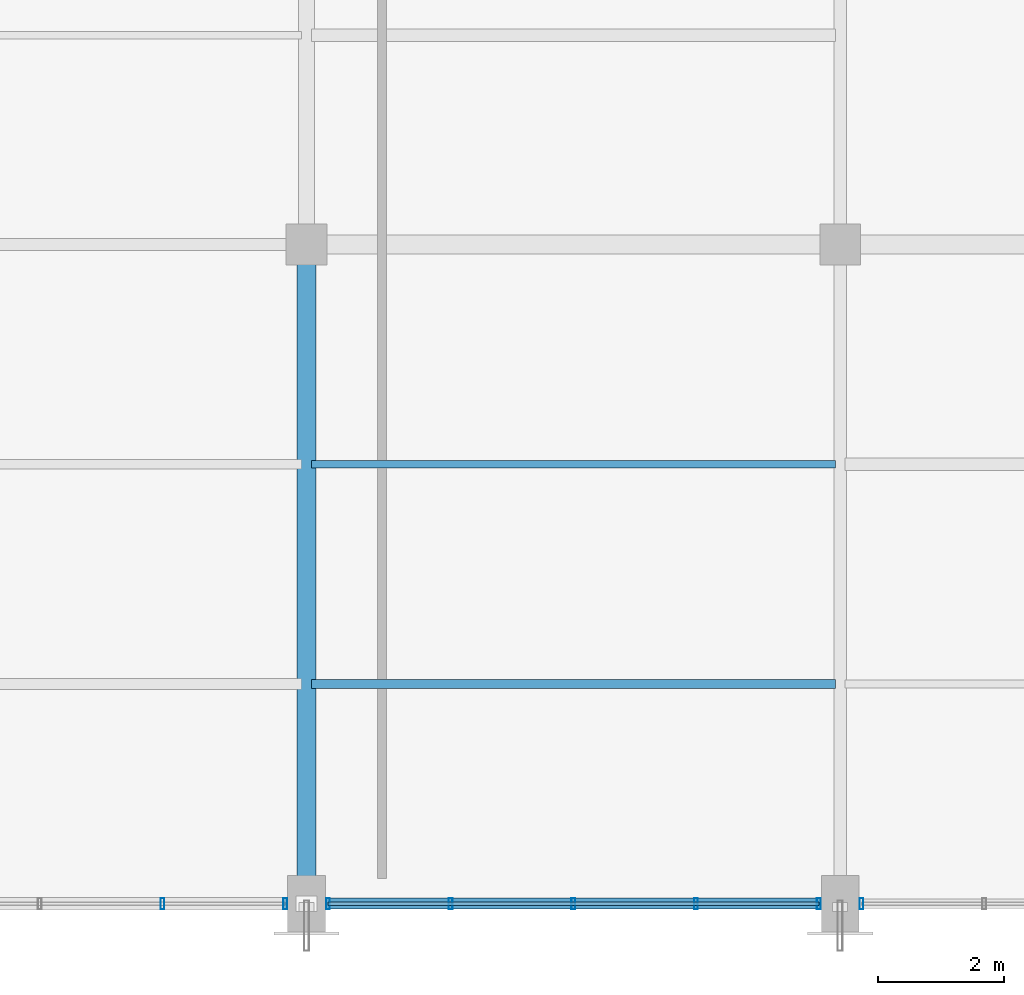
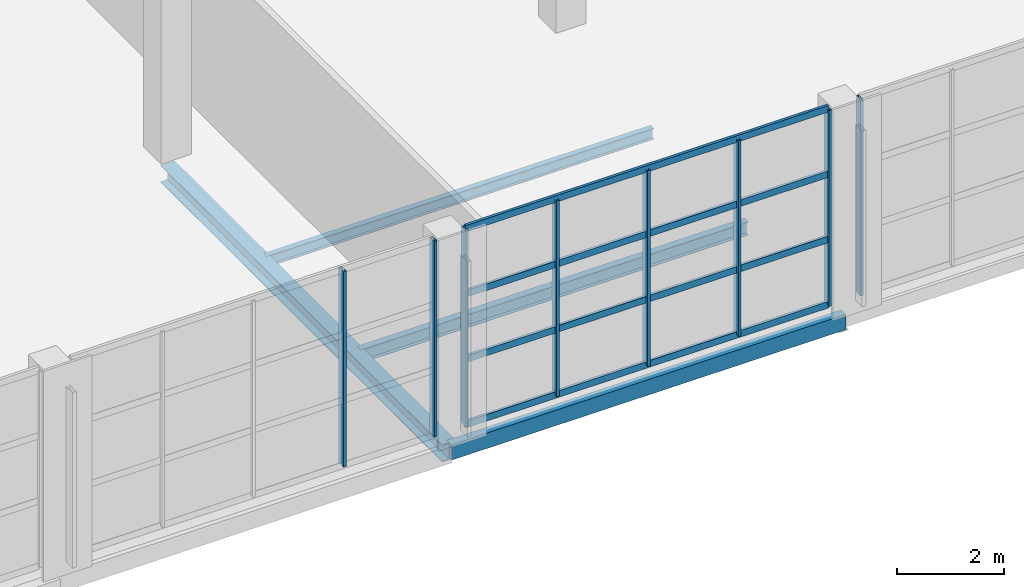
# One storey, part 6 of 66: 12 members, 4 beams, 3 elements without a shape of their own.
"""IFC4 building model written with IfcOpenShell, lengths in metres."""

from ifc_helpers import new_model, si_unit, direction, frame, origin, origin_2d, place, context, subcontext, project, spatial, hollow_rectangle, i_section, extrude, material, material_profile, profile_set, type_object, element, aggregate, save


model = new_model("IFC4")

# Units and contexts
model_context = context("Model", 3, precision=1e-05, world=origin(), true_north=direction((0.0, 1.0)))
body_context = subcontext(model_context, "Body", "Model", "MODEL_VIEW")
ifc_project = project(units=[si_unit("LENGTHUNIT", "METRE"), si_unit("AREAUNIT", "SQUARE_METRE"), si_unit("VOLUMEUNIT", "CUBIC_METRE"), si_unit("PLANEANGLEUNIT", "RADIAN"), si_unit("MASSUNIT", "GRAM", prefix="KILO")], contexts=[model_context])

# Site, building, storey
site_placement = place(None, origin())
site = spatial("IfcSite", under=ifc_project, at=site_placement, CompositionType="ELEMENT")
building_placement = place(site_placement, origin())
building = spatial("IfcBuilding", under=site, at=building_placement, Name="Solvikara Media Centre", CompositionType="ELEMENT")
storey_placement = place(building_placement, frame((0.0, 0.0, 19.800048828125)))
storey = spatial("IfcBuildingStorey", under=building, at=storey_placement, Name="L04", CompositionType="ELEMENT", Elevation=19.800048828125)

# Beams
ifc_material_1 = material(Name="Steel S355JR", Category="steel")
ifc_material_profile_1 = material_profile(ifc_material_1, i_section(OverallWidth=0.14990234375, OverallDepth=0.300048828125, WebThickness=0.006591796875, FlangeThickness=0.009033203125, at=origin_2d()), Name="WF 300x150x6.5x9")
ifc_profile_set_1 = profile_set([ifc_material_profile_1], Name="Steel S355JR")
beam_type_1 = type_object("IfcBeamType", Name="BM-23", PredefinedType="JOIST", material=ifc_profile_set_1)
beam_1_placement = place(storey_placement, frame((51.077880859375, 3.5, -0.43212890625), z_axis=(1.0, 0.0, 0.0), x_axis=(0.0, 1.0, 0.0)))
element("IfcBeam", 1, at=beam_1_placement, inside=storey, type_object=beam_type_1, Name="J-L04-1603", PredefinedType="JOIST", context=body_context, shape_type="SweptSolid", body=[
    extrude(i_section(OverallWidth=0.14990234375, OverallDepth=0.300048828125, WebThickness=0.006591796875, FlangeThickness=0.009033203125, at=origin_2d()), origin(), (0.0, 0.0, 1.0), 8.34423828125),
])
ifc_material_profile_2 = material_profile(ifc_material_1, i_section(OverallWidth=0.125, OverallDepth=0.25, WebThickness=0.006103515625, FlangeThickness=0.009033203125, at=origin_2d()), Name="WF 250x125x6x9")
ifc_profile_set_2 = profile_set([ifc_material_profile_2], Name="Steel S355JR")
beam_type_2 = type_object("IfcBeamType", Name="BM-24", PredefinedType="JOIST", material=ifc_profile_set_2)
beam_2_placement = place(storey_placement, frame((51.077880859375, 7.0, -0.406982421875), z_axis=(1.0, 0.0, 0.0), x_axis=(0.0, 1.0, 0.0)))
element("IfcBeam", 2, at=beam_2_placement, inside=storey, type_object=beam_type_2, Name="J-L04-1604", PredefinedType="JOIST", context=body_context, shape_type="SweptSolid", body=[
    extrude(i_section(OverallWidth=0.125, OverallDepth=0.25, WebThickness=0.006103515625, FlangeThickness=0.009033203125, at=origin_2d()), origin(), (0.0, 0.0, 1.0), 8.34423828125),
])
ifc_material_profile_3 = material_profile(ifc_material_1, i_section(OverallWidth=0.300048828125, OverallDepth=0.389892578125, WebThickness=0.010009765625, FlangeThickness=0.01611328125, at=origin_2d()), Name="H 390x300x10x16")
ifc_profile_set_3 = profile_set([ifc_material_profile_3], Name="Steel S355JR")
beam_type_3 = type_object("IfcBeamType", Name="BM-29", PredefinedType="BEAM", material=ifc_profile_set_3)
beam_3_placement = place(storey_placement, frame((51.0, 0.0, -0.47705078125), z_axis=(0.0, 1.0, 0.0), x_axis=(-1.0, 0.0, 0.0)))
element("IfcBeam", 3, at=beam_3_placement, inside=storey, type_object=beam_type_3, Name="B-L04-Y1521", PredefinedType="BEAM", context=body_context, shape_type="SweptSolid", body=[
    extrude(i_section(OverallWidth=0.300048828125, OverallDepth=0.389892578125, WebThickness=0.010009765625, FlangeThickness=0.01611328125, at=origin_2d()), origin(), (0.0, 0.0, 1.0), 10.5),
])
ifc_material_profile_4 = material_profile(ifc_material_1, hollow_rectangle(XDim=0.175048828125, YDim=0.35009765625, WallThickness=0.010009765625, at=origin_2d()), Name="RHS 350x175x10")
ifc_profile_set_4 = profile_set([ifc_material_profile_4], Name="Steel S355JR")
beam_type_4 = type_object("IfcBeamType", Name="BM-34", PredefinedType="SPANDREL", material=ifc_profile_set_4)
beam_4_placement = place(storey_placement, frame((51.0, 0.0, -0.45703125), z_axis=(1.0, 0.0, 0.0), x_axis=(0.0, 1.0, 0.0)))
element("IfcBeam", 4, at=beam_4_placement, inside=storey, type_object=beam_type_4, Name="B-L04-X1436", PredefinedType="SPANDREL", context=body_context, shape_type="SweptSolid", body=[
    extrude(hollow_rectangle(XDim=0.175048828125, YDim=0.35009765625, WallThickness=0.010009765625, at=origin_2d()), origin(), (0.0, 0.0, 1.0), 8.5),
])

# Curtain wall, members
ifc_material_2 = material(Name="Anodised aluminium EN AW-6063", Category="aluminium")
curtain_wall_type = type_object("IfcCurtainWallType", Name="CW-15", PredefinedType="NOTDEFINED", material=ifc_material_2)
curtain_wall_1_placement = place(storey_placement, origin())
curtain_wall_1 = element("IfcCurtainWall", 5, at=curtain_wall_1_placement, inside=storey, type_object=curtain_wall_type, Name="CW-L04-V6S-2", PredefinedType="NOTDEFINED")
ifc_material_profile_5 = material_profile(ifc_material_2, hollow_rectangle(XDim=0.06005859375, YDim=0.179931640625, WallThickness=0.00341796875, at=origin_2d()), Name="ALU-M 60x180x3.5")
ifc_profile_set_5 = profile_set([ifc_material_profile_5], Name="Anodised aluminium EN AW-6063")
member_type_1 = type_object("IfcMemberType", Name="MF-03", PredefinedType="MULLION", material=ifc_profile_set_5)
member_1_placement = place(storey_placement, frame((48.705078125, 0.0, 0.02001953125), z_axis=(0.0, 0.0, 1.0), x_axis=(1.0, 0.0, 0.0)))
member_1 = element("IfcMember", 6, at=member_1_placement, type_object=member_type_1, Name="CW-L04-V6S-2-M03", PredefinedType="MULLION", context=body_context, shape_type="SweptSolid", body=[
    extrude(hollow_rectangle(XDim=0.06005859375, YDim=0.179931640625, WallThickness=0.00341796875, at=origin_2d()), origin(), (0.0, 0.0, 1.0), 4.4599609375),
])
member_2_placement = place(storey_placement, frame((50.659912109375, 0.0, 0.02001953125), z_axis=(0.0, 0.0, 1.0), x_axis=(1.0, 0.0, 0.0)))
member_2 = element("IfcMember", 7, at=member_2_placement, type_object=member_type_1, Name="CW-L04-V6S-2-M04", PredefinedType="MULLION", context=body_context, shape_type="SweptSolid", body=[
    extrude(hollow_rectangle(XDim=0.06005859375, YDim=0.179931640625, WallThickness=0.00341796875, at=origin_2d()), origin(), (0.0, 0.0, 1.0), 4.4599609375),
])
aggregate(curtain_wall_1, [member_1, member_2])

curtain_wall_2_placement = place(storey_placement, origin())
curtain_wall_2 = element("IfcCurtainWall", 8, at=curtain_wall_2_placement, inside=storey, type_object=curtain_wall_type, Name="CW-L04-V6S-3", PredefinedType="NOTDEFINED")
member_3_placement = place(storey_placement, frame((51.340087890625, 0.0, 0.02001953125), z_axis=(0.0, 0.0, 1.0), x_axis=(1.0, 0.0, 0.0)))
member_3 = element("IfcMember", 9, at=member_3_placement, type_object=member_type_1, Name="CW-L04-V6S-3-M00", PredefinedType="MULLION", context=body_context, shape_type="SweptSolid", body=[
    extrude(hollow_rectangle(XDim=0.06005859375, YDim=0.179931640625, WallThickness=0.00341796875, at=origin_2d()), origin(), (0.0, 0.0, 1.0), 4.4599609375),
])
member_4_placement = place(storey_placement, frame((53.294921875, 0.0, 0.02001953125), z_axis=(0.0, 0.0, 1.0), x_axis=(1.0, 0.0, 0.0)))
member_4 = element("IfcMember", 10, at=member_4_placement, type_object=member_type_1, Name="CW-L04-V6S-3-M01", PredefinedType="MULLION", context=body_context, shape_type="SweptSolid", body=[
    extrude(hollow_rectangle(XDim=0.06005859375, YDim=0.179931640625, WallThickness=0.00341796875, at=origin_2d()), origin(), (0.0, 0.0, 1.0), 4.4599609375),
])
member_5_placement = place(storey_placement, frame((55.25, 0.0, 0.02001953125), z_axis=(0.0, 0.0, 1.0), x_axis=(1.0, 0.0, 0.0)))
member_5 = element("IfcMember", 11, at=member_5_placement, type_object=member_type_1, Name="CW-L04-V6S-3-M02", PredefinedType="MULLION", context=body_context, shape_type="SweptSolid", body=[
    extrude(hollow_rectangle(XDim=0.06005859375, YDim=0.179931640625, WallThickness=0.00341796875, at=origin_2d()), origin(), (0.0, 0.0, 1.0), 4.4599609375),
])
member_6_placement = place(storey_placement, frame((57.205078125, 0.0, 0.02001953125), z_axis=(0.0, 0.0, 1.0), x_axis=(1.0, 0.0, 0.0)))
member_6 = element("IfcMember", 12, at=member_6_placement, type_object=member_type_1, Name="CW-L04-V6S-3-M03", PredefinedType="MULLION", context=body_context, shape_type="SweptSolid", body=[
    extrude(hollow_rectangle(XDim=0.06005859375, YDim=0.179931640625, WallThickness=0.00341796875, at=origin_2d()), origin(), (0.0, 0.0, 1.0), 4.4599609375),
])
member_7_placement = place(storey_placement, frame((59.159912109375, 0.0, 0.02001953125), z_axis=(0.0, 0.0, 1.0), x_axis=(1.0, 0.0, 0.0)))
member_7 = element("IfcMember", 13, at=member_7_placement, type_object=member_type_1, Name="CW-L04-V6S-3-M04", PredefinedType="MULLION", context=body_context, shape_type="SweptSolid", body=[
    extrude(hollow_rectangle(XDim=0.06005859375, YDim=0.179931640625, WallThickness=0.00341796875, at=origin_2d()), origin(), (0.0, 0.0, 1.0), 4.4599609375),
])

# Curtain wall, member
curtain_wall_3_placement = place(storey_placement, origin())
curtain_wall_3 = element("IfcCurtainWall", 14, at=curtain_wall_3_placement, inside=storey, type_object=curtain_wall_type, Name="CW-L04-V6S-4", PredefinedType="NOTDEFINED")
member_8_placement = place(storey_placement, frame((59.840087890625, 0.0, 0.02001953125), z_axis=(0.0, 0.0, 1.0), x_axis=(1.0, 0.0, 0.0)))
member_8 = element("IfcMember", 15, at=member_8_placement, type_object=member_type_1, Name="CW-L04-V6S-4-M00", PredefinedType="MULLION", context=body_context, shape_type="SweptSolid", body=[
    extrude(hollow_rectangle(XDim=0.06005859375, YDim=0.179931640625, WallThickness=0.00341796875, at=origin_2d()), origin(), (0.0, 0.0, 1.0), 4.4599609375),
])
aggregate(curtain_wall_3, [member_8])

# Member
ifc_material_profile_6 = material_profile(ifc_material_2, hollow_rectangle(XDim=0.06005859375, YDim=0.14990234375, WallThickness=0.0029296875, at=origin_2d()), Name="ALU-T 60x150x3")
ifc_profile_set_6 = profile_set([ifc_material_profile_6], Name="Anodised aluminium EN AW-6063")
member_type_2 = type_object("IfcMemberType", Name="MF-09", PredefinedType="USERDEFINED", material=ifc_profile_set_6)
member_9_placement = place(storey_placement, frame((51.340087890625, 0.0, 0.02001953125), z_axis=(1.0, 0.0, 0.0), x_axis=(0.0, 1.0, 0.0)))
member_9 = element("IfcMember", 16, at=member_9_placement, type_object=member_type_2, Name="CW-L04-V6S-3-T00", ObjectType="TRANSOM", PredefinedType="USERDEFINED", context=body_context, shape_type="SweptSolid", body=[
    extrude(hollow_rectangle(XDim=0.06005859375, YDim=0.14990234375, WallThickness=0.0029296875, at=origin_2d()), origin(), (0.0, 0.0, 1.0), 7.81982421875),
])

member_10_placement = place(storey_placement, frame((51.340087890625, 0.0, 1.5068359375), z_axis=(1.0, 0.0, 0.0), x_axis=(0.0, 1.0, 0.0)))
member_10 = element("IfcMember", 17, at=member_10_placement, type_object=member_type_2, Name="CW-L04-V6S-3-T01", ObjectType="TRANSOM", PredefinedType="USERDEFINED", context=body_context, shape_type="SweptSolid", body=[
    extrude(hollow_rectangle(XDim=0.06005859375, YDim=0.14990234375, WallThickness=0.0029296875, at=origin_2d()), origin(), (0.0, 0.0, 1.0), 7.81982421875),
])

member_11_placement = place(storey_placement, frame((51.340087890625, 0.0, 2.992919921875), z_axis=(1.0, 0.0, 0.0), x_axis=(0.0, 1.0, 0.0)))
member_11 = element("IfcMember", 18, at=member_11_placement, type_object=member_type_2, Name="CW-L04-V6S-3-T02", ObjectType="TRANSOM", PredefinedType="USERDEFINED", context=body_context, shape_type="SweptSolid", body=[
    extrude(hollow_rectangle(XDim=0.06005859375, YDim=0.14990234375, WallThickness=0.0029296875, at=origin_2d()), origin(), (0.0, 0.0, 1.0), 7.81982421875),
])

member_12_placement = place(storey_placement, frame((51.340087890625, 0.0, 4.47998046875), z_axis=(1.0, 0.0, 0.0), x_axis=(0.0, 1.0, 0.0)))
member_12 = element("IfcMember", 19, at=member_12_placement, type_object=member_type_2, Name="CW-L04-V6S-3-T03", ObjectType="TRANSOM", PredefinedType="USERDEFINED", context=body_context, shape_type="SweptSolid", body=[
    extrude(hollow_rectangle(XDim=0.06005859375, YDim=0.14990234375, WallThickness=0.0029296875, at=origin_2d()), origin(), (0.0, 0.0, 1.0), 7.81982421875),
])

aggregate(curtain_wall_2, [member_3, member_4, member_5, member_6, member_7, member_9, member_10, member_11, member_12])

save(model, "model.ifc")
